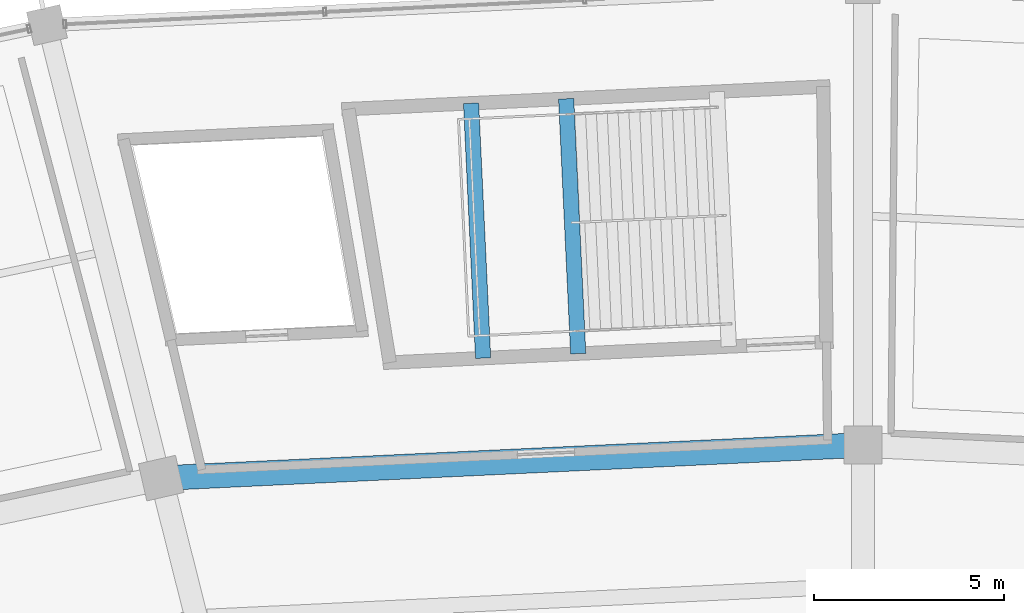
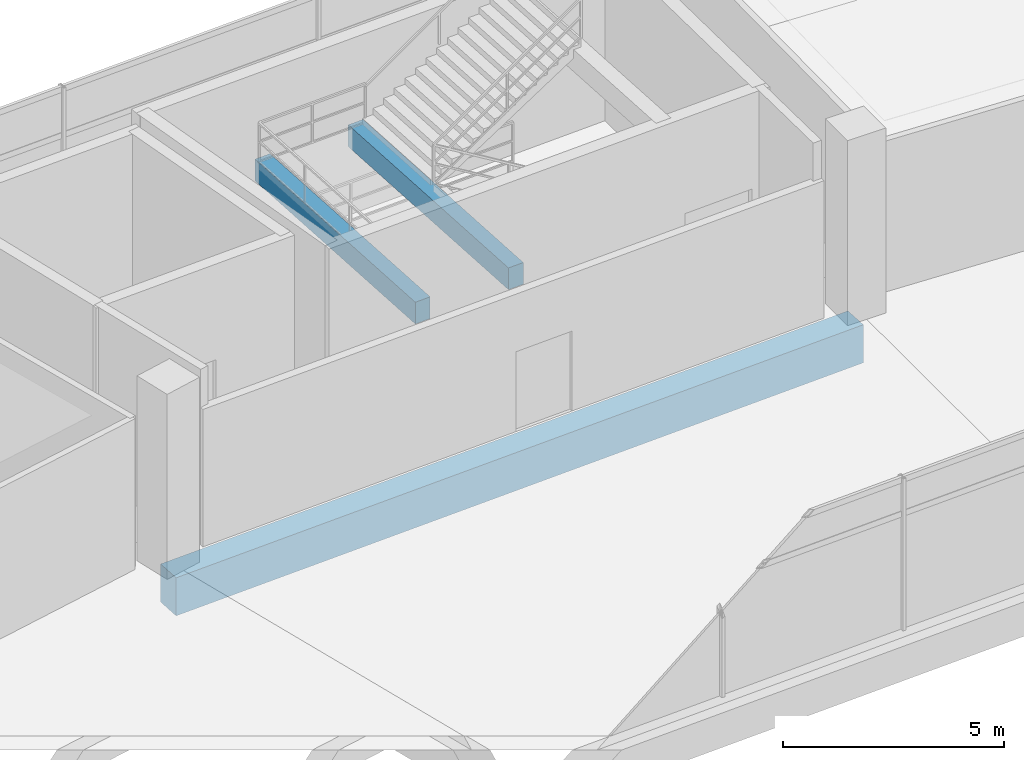
# One storey, part 117 of 184: 3 beams.
"""IFC4 building model written with IfcOpenShell, lengths in metres."""

from ifc_helpers import new_model, si_unit, direction, frame, origin, origin_2d, place, context, subcontext, project, spatial, rectangle, extrude, material, material_profile, profile_set, type_object, element, save


model = new_model("IFC4")

# Units and contexts
model_context = context("Model", 3, precision=1e-05, world=origin(), true_north=direction((0.0, 1.0)))
body_context = subcontext(model_context, "Body", "Model", "MODEL_VIEW")
ifc_project = project(units=[si_unit("LENGTHUNIT", "METRE"), si_unit("AREAUNIT", "SQUARE_METRE"), si_unit("VOLUMEUNIT", "CUBIC_METRE"), si_unit("PLANEANGLEUNIT", "RADIAN"), si_unit("MASSUNIT", "GRAM", prefix="KILO")], contexts=[model_context])

# Site, building, storey
site_placement = place(None, origin())
site = spatial("IfcSite", under=ifc_project, at=site_placement, CompositionType="ELEMENT")
building_placement = place(site_placement, origin())
building = spatial("IfcBuilding", under=site, at=building_placement, Name="Kazemori Nagisa Stadium", CompositionType="ELEMENT")
storey_placement = place(building_placement, frame((0.0, 0.0, 10.5400390625)))
storey = spatial("IfcBuildingStorey", under=building, at=storey_placement, Name="L02", CompositionType="ELEMENT", Elevation=10.5400390625)

# Beams
ifc_material = material(Name="Concrete C40/50 (Fc42)", Category="concrete")
ifc_material_profile_1 = material_profile(ifc_material, rectangle(XDim=0.39990234375, YDim=0.60009765625, at=origin_2d()), Name="RC-BM-400x600")
ifc_profile_set_1 = profile_set([ifc_material_profile_1], Name="Concrete C40/50 (Fc42)")
beam_type_1 = type_object("IfcBeamType", Name="Beam_BG-LND400X600", PredefinedType="BEAM", material=ifc_profile_set_1)
beam_1_placement = place(storey_placement, frame((115.52490234375, 178.358642578125, 2.050048828125), z_axis=(-0.047222374852, 0.998884401377, 0.0), x_axis=(-0.998884401377, -0.047222374852, 0.0)))
element("IfcBeam", 1, at=beam_1_placement, inside=storey, type_object=beam_type_1, Name="Core stair mid-landing girder ST05-L02-1", PredefinedType="BEAM", context=body_context, shape_type="SweptSolid", body=[
    extrude(rectangle(XDim=0.39990234375, YDim=0.60009765625, at=origin_2d()), origin(), (0.0, 0.0, 1.0), 6.700439453125),
])
beam_2_placement = place(storey_placement, frame((113.027587890625, 178.240478515625, 2.050048828125), z_axis=(-0.047220656191, 0.998884482625, 0.0), x_axis=(-0.998884482625, -0.047220656191, 0.0)))
element("IfcBeam", 2, at=beam_2_placement, inside=storey, type_object=beam_type_1, Name="Core stair mid-landing girder ST05-L02-2", PredefinedType="BEAM", context=body_context, shape_type="SweptSolid", body=[
    extrude(rectangle(XDim=0.39990234375, YDim=0.60009765625, at=origin_2d()), origin(), (0.0, 0.0, 1.0), 6.70068359375),
])
ifc_material_profile_2 = material_profile(ifc_material, rectangle(XDim=0.64990234375, YDim=1.050048828125, at=origin_2d()), Name="RC-BM-650x1050")
ifc_profile_set_2 = profile_set([ifc_material_profile_2], Name="Concrete C40/50 (Fc42)")
beam_type_2 = type_object("IfcBeamType", Name="Beam_BG-RC650X1050", PredefinedType="BEAM", material=ifc_profile_set_2)
beam_3_placement = place(storey_placement, frame((123.0, 175.9599609375, -0.78515625), z_axis=(-0.9988839804, -0.047231278829, 0.0), x_axis=(0.047231278829, -0.9988839804, 0.0)))
element("IfcBeam", 3, at=beam_3_placement, inside=storey, type_object=beam_type_2, Name="Ring girder BG-RC650X1050 L02 R2-08", PredefinedType="BEAM", context=body_context, shape_type="SweptSolid", body=[
    extrude(rectangle(XDim=0.64990234375, YDim=1.050048828125, at=origin_2d()), origin(), (0.0, 0.0, 1.0), 18.4482421875),
])

save(model, "model.ifc")
